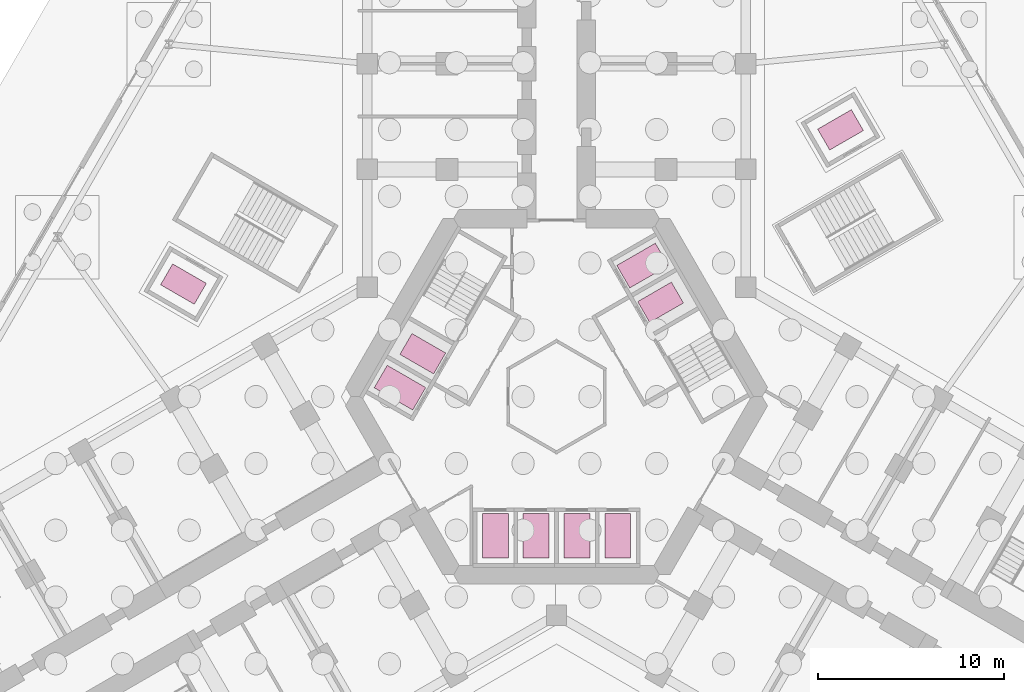
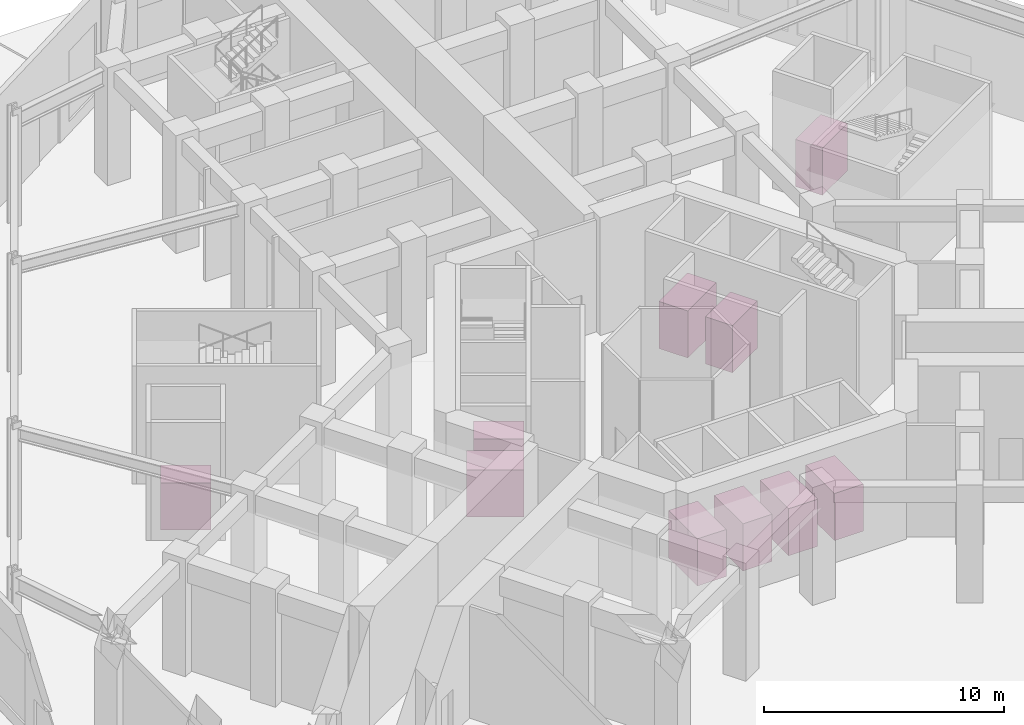
# One storey, part 16 of 16: 10 transport elements.
"""IFC4 building model written with IfcOpenShell, lengths in metres."""

import ifcopenshell
import ifcopenshell.guid

model = None  # the IFC model being written
_history = None  # IfcOwnerHistory: only IFC2X3 demands one
_inside = {}  # id of a spatial element -> (the spatial element, [elements in it])
_under = {}  # id of a project, library or spatial element -> (it, [spatial elements below it])
_declared = {}  # id of a project -> (the project, [libraries it declares])
_typed = {}  # id of a type object -> (the type object, [elements of that type])
_made_of = {}  # id of a material, layer set ... -> (it, [elements and type objects made of it])


def new_model(schema):
    """Start an empty IFC model of exactly this schema.

    Asked for "IFC4X3", IfcOpenShell would pick the latest addendum, in which some entities
    have other attributes; the version numbers below select the first issue.
    IFC2X3 requires an IfcOwnerHistory on every rooted entity: one is made here for all.
    """
    global model, _history
    if schema == "IFC4X3":
        model = ifcopenshell.file(schema_version=(4, 3, 0, 0))
    else:
        model = ifcopenshell.file(schema=schema)
    _inside.clear()
    _under.clear()
    _declared.clear()
    _typed.clear()
    _made_of.clear()
    _history = None
    if model.schema == "IFC2X3":
        org = make("IfcOrganization", Name="unknown")
        user = make(
            "IfcPersonAndOrganization",
            ThePerson=make("IfcPerson", FamilyName="unknown"),
            TheOrganization=org,
        )
        app = make(
            "IfcApplication",
            ApplicationDeveloper=org,
            Version="unknown",
            ApplicationFullName="unknown",
            ApplicationIdentifier="unknown",
        )
        _history = make(
            "IfcOwnerHistory",
            OwningUser=user,
            OwningApplication=app,
            ChangeAction="ADDED",
            CreationDate=0,
        )
    return model


def make(cls, **values):
    """One entity of the class cls with the attributes given. An attribute that is None is left unset."""
    return model.create_entity(
        cls, **{name: value for name, value in values.items() if value is not None}
    )


def rooted(cls, **values):
    """An entity with a GlobalId (a new one), such as an element, a storey or a relation."""
    return make(cls, GlobalId=ifcopenshell.guid.new(), OwnerHistory=_history, **values)


def si_unit(unit_type, name, prefix=None):
    """IfcSIUnit, for example si_unit("LENGTHUNIT", "METRE", prefix="MILLI")."""
    return make("IfcSIUnit", UnitType=unit_type, Prefix=prefix, Name=name)


def assignment(units):
    """IfcUnitAssignment: the units of a project."""
    return None if units is None else make("IfcUnitAssignment", Units=units)


def point(xyz):
    """IfcCartesianPoint."""
    return None if xyz is None else make("IfcCartesianPoint", Coordinates=xyz)


def direction(xyz):
    """IfcDirection."""
    return None if xyz is None else make("IfcDirection", DirectionRatios=xyz)


def frame(location, z_axis=None, x_axis=None):
    """IfcAxis2Placement3D, a coordinate frame: its origin and axes. An axis left out is left unset."""
    return make(
        "IfcAxis2Placement3D",
        Location=point(location),
        Axis=direction(z_axis),
        RefDirection=direction(x_axis),
    )


def frame_2d(location, x_axis=None):
    """IfcAxis2Placement2D, a coordinate frame in the plane: its origin and x axis."""
    return make(
        "IfcAxis2Placement2D", Location=point(location), RefDirection=direction(x_axis)
    )


def origin():
    """The frame at (0, 0, 0) with its axes left unset."""
    return frame((0.0, 0.0, 0.0))


def origin_2d():
    """The frame at (0, 0) in the plane with its x axis left unset."""
    return frame_2d((0.0, 0.0))


def place(relative_to, where):
    """IfcLocalPlacement: puts the frame where relative to a parent placement (None: the world)."""
    return make(
        "IfcLocalPlacement", PlacementRelTo=relative_to, RelativePlacement=where
    )


def context(
    kind, dimensions, precision=None, world=None, true_north=None, identifier=None
):
    """IfcGeometricRepresentationContext, for example the 3D "Model" context."""
    return make(
        "IfcGeometricRepresentationContext",
        ContextIdentifier=identifier,
        ContextType=kind,
        CoordinateSpaceDimension=dimensions,
        Precision=precision,
        WorldCoordinateSystem=world,
        TrueNorth=true_north,
    )


def subcontext(parent, identifier, kind, view, scale=None):
    """IfcGeometricRepresentationSubContext, for example "Body" below "Model"."""
    return make(
        "IfcGeometricRepresentationSubContext",
        ContextIdentifier=identifier,
        ContextType=kind,
        ParentContext=parent,
        TargetScale=scale,
        TargetView=view,
    )


def project(units=None, contexts=None):
    """IfcProject with its units and contexts."""
    return rooted(
        "IfcProject",
        Name="project",
        RepresentationContexts=contexts,
        UnitsInContext=assignment(units),
    )


def spatial(cls, under=None, at=None, **own):
    """A site, building, storey or space (cls), placed at a placement, below another one or the project."""
    s = rooted(cls, ObjectPlacement=at, **own)
    if under is not None:
        _under.setdefault(under.id(), (under, []))[1].append(s)
    return s


def profile(cls, at=None, kind="AREA", **sizes):
    """A parametric profile (cls). Its sizes go by their IFC names, for example OverallWidth=200.0."""
    return make(cls, ProfileType=kind, Position=at, **sizes)


def rectangle(**sizes):
    """IfcRectangleProfileDef."""
    return profile("IfcRectangleProfileDef", **sizes)


def extrude(swept, where, along, depth):
    """IfcExtrudedAreaSolid: the profile swept, set in the frame where, extruded along a direction by depth."""
    return make(
        "IfcExtrudedAreaSolid",
        SweptArea=swept,
        Position=where,
        ExtrudedDirection=direction(along),
        Depth=depth,
    )


def shape(context_of_items, identifier, shape_type, items):
    """IfcShapeRepresentation: the items that make up one representation, for example the "Body"."""
    return make(
        "IfcShapeRepresentation",
        ContextOfItems=context_of_items,
        RepresentationIdentifier=identifier,
        RepresentationType=shape_type,
        Items=items,
    )


def material(Name=None, Category=None):
    """IfcMaterial."""
    return make("IfcMaterial", Name=Name, Category=Category)


def made_of(thing, what):
    """Note that an element or type object is made of a material, layer set ...; save() writes the relation."""
    if what is not None:
        _made_of.setdefault(what.id(), (what, []))[1].append(thing)
    return thing


def type_object(cls, material=None, **own):
    """A type object (cls), such as IfcWallType, which elements share."""
    return made_of(rooted(cls, **own), material)


def element(
    cls,
    number,
    at=None,
    inside=None,
    cuts=None,
    type_object=None,
    material=None,
    context=None,
    identifier="Body",
    shape_type=None,
    held_by="IfcProductDefinitionShape",
    body=None,
    shapes=None,
    **own,
):
    """One element of the class cls, such as IfcWall. Its Tag is "e" and its number.

    at: its placement. inside: the storey or other place that contains it. cuts: it is an
    opening in that element (IfcRelVoidsElement). A single representation is given by context,
    identifier, shape_type and body (its items); several are given by shapes. held_by: the class
    of the entity that holds the representations. save() writes the other relations.
    """
    e = rooted(cls, Tag="e%d" % number, ObjectPlacement=at, **own)
    if body is not None:
        shapes = [shape(context, identifier, shape_type, body)]
    if shapes is not None:
        e.Representation = make(held_by, Representations=shapes)
    if inside is not None:
        _inside.setdefault(inside.id(), (inside, []))[1].append(e)
    if cuts is not None:
        rooted(
            "IfcRelVoidsElement", RelatingBuildingElement=cuts, RelatedOpeningElement=e
        )
    if type_object is not None:
        _typed.setdefault(type_object.id(), (type_object, []))[1].append(e)
    return made_of(e, material)


def aggregate(whole, parts):
    """IfcRelAggregates: a whole, such as a stair, and the parts it consists of."""
    return rooted("IfcRelAggregates", RelatingObject=whole, RelatedObjects=parts)


def save(model, path):
    """Write the relations noted so far, then the file.

    IfcRelAggregates (storeys below a building ...), IfcRelContainedInSpatialStructure (elements
    in a storey), IfcRelDefinesByType, IfcRelAssociatesMaterial and IfcRelDeclares: one each for
    every whole, place, type object, material and project.
    """
    for whole, parts in _under.values():
        aggregate(whole, parts)
    for where, things in _inside.values():
        rooted(
            "IfcRelContainedInSpatialStructure",
            RelatedElements=things,
            RelatingStructure=where,
        )
    for kind, things in _typed.values():
        rooted("IfcRelDefinesByType", RelatedObjects=things, RelatingType=kind)
    for what, things in _made_of.values():
        rooted("IfcRelAssociatesMaterial", RelatedObjects=things, RelatingMaterial=what)
    for by, libraries in _declared.values():
        rooted("IfcRelDeclares", RelatingContext=by, RelatedDefinitions=libraries)
    model.write(path)


model = new_model("IFC4")

# Units and contexts
model_context = context("Model", 3, precision=1e-05, world=origin(), true_north=direction((0.0, 1.0)))
body_context = subcontext(model_context, "Body", "Model", "MODEL_VIEW")
ifc_project = project(units=[si_unit("LENGTHUNIT", "METRE"), si_unit("AREAUNIT", "SQUARE_METRE"), si_unit("VOLUMEUNIT", "CUBIC_METRE"), si_unit("PLANEANGLEUNIT", "RADIAN"), si_unit("MASSUNIT", "GRAM", prefix="KILO")], contexts=[model_context])

# Site, building, storey
site_placement = place(None, origin())
site = spatial("IfcSite", under=ifc_project, at=site_placement, CompositionType="ELEMENT")
building_placement = place(site_placement, origin())
building = spatial("IfcBuilding", under=site, at=building_placement, Name="Kosmar Iwan School Tower", CompositionType="ELEMENT")
storey_placement = place(building_placement, origin())
storey = spatial("IfcBuildingStorey", under=building, at=storey_placement, Name="L00", CompositionType="ELEMENT", Elevation=0.0)

# Transport elements
ifc_material_1 = material(Name="Stainless steel lift car", Category="steel")
transport_element_type_1 = type_object("IfcTransportElementType", Name="Firefighting lift car 1300x2100", PredefinedType="ELEVATOR", material=ifc_material_1)
for number, where, z_axis, x_axis, name in (
    (1, (5.608642578125, 5.085693359375, 0.0), (0.0, 0.0, 1.0), (0.866025403784, 0.5, 0.0), "Lift FF1"),
    (2, (-7.20849609375, 2.314453125, 0.0), (0.0, 0.0, 1.0), (-0.866025403784, 0.5, 0.0), "Lift FF2"),
):
    element("IfcTransportElement", number, at=place(storey_placement, frame(where, z_axis=z_axis, x_axis=x_axis)), inside=storey, type_object=transport_element_type_1, Name=name, PredefinedType="ELEVATOR", context=body_context, shape_type="SweptSolid", body=[
        extrude(rectangle(XDim=2.10009765625, YDim=1.300048828125, at=origin_2d()), origin(), (0.0, 0.0, 1.0), 2.39990234375),
    ])
ifc_material_2 = material(Name="Stainless steel lift car", Category="steel")
transport_element_type_2 = type_object("IfcTransportElementType", Name="Passenger lift car 1400x2400", PredefinedType="ELEVATOR", material=ifc_material_2)
for number, where, z_axis, x_axis, name in (
    (3, (-3.300048828125, -7.5, 0.0), (0.0, 0.0, 1.0), (0.0, -1.0, 0.0), "Lift PL1"),
    (4, (-1.10009765625, -7.5, 0.0), (0.0, 0.0, 1.0), (0.0, -1.0, 0.0), "Lift PL2"),
    (5, (1.10009765625, -7.5, 0.0), (0.0, 0.0, 1.0), (0.0, -1.0, 0.0), "Lift PL3"),
    (6, (3.300048828125, -7.5, 0.0), (0.0, 0.0, 1.0), (0.0, -1.0, 0.0), "Lift PL4"),
    (7, (4.638427734375, 7.06591796875, 0.0), (0.0, 0.0, 1.0), (0.866025403784, 0.5, 0.0), "Lift PL5"),
    (8, (-8.4384765625, 0.484130859375, 0.0), (0.0, 0.0, 1.0), (-0.866025403784, 0.5, 0.0), "Lift PL6"),
):
    element("IfcTransportElement", number, at=place(storey_placement, frame(where, z_axis=z_axis, x_axis=x_axis)), inside=storey, type_object=transport_element_type_2, Name=name, PredefinedType="ELEVATOR", context=body_context, shape_type="SweptSolid", body=[
        extrude(rectangle(XDim=2.39990234375, YDim=1.39990234375, at=origin_2d()), origin(), (0.0, 0.0, 1.0), 2.39990234375),
    ])
ifc_material_3 = material(Name="Stainless steel lift car", Category="steel")
transport_element_type_3 = type_object("IfcTransportElementType", Name="School lift car 1300x2100", PredefinedType="ELEVATOR", material=ifc_material_3)
for number, where, z_axis, x_axis, name in (
    (9, (15.310302734375, 14.3818359375, 0.0), (0.0, 0.0, 1.0), (0.866025403784, 0.5, 0.0), "Lift SL1"),
    (10, (-20.110107421875, 6.068115234375, 0.0), (0.0, 0.0, 1.0), (-0.866025403784, 0.5, 0.0), "Lift SL2"),
):
    element("IfcTransportElement", number, at=place(storey_placement, frame(where, z_axis=z_axis, x_axis=x_axis)), inside=storey, type_object=transport_element_type_3, Name=name, PredefinedType="ELEVATOR", context=body_context, shape_type="SweptSolid", body=[
        extrude(rectangle(XDim=2.10009765625, YDim=1.300048828125, at=origin_2d()), origin(), (0.0, 0.0, 1.0), 2.39990234375),
    ])

save(model, "model.ifc")
